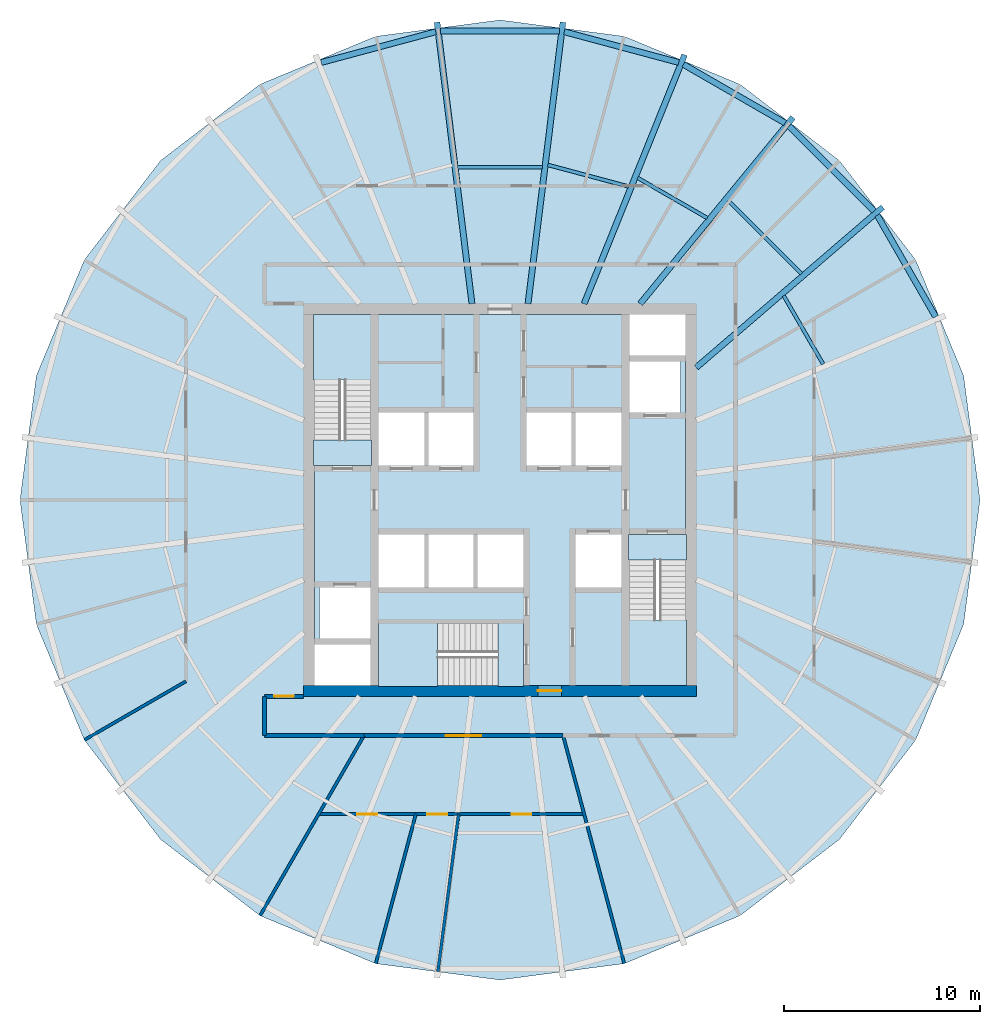
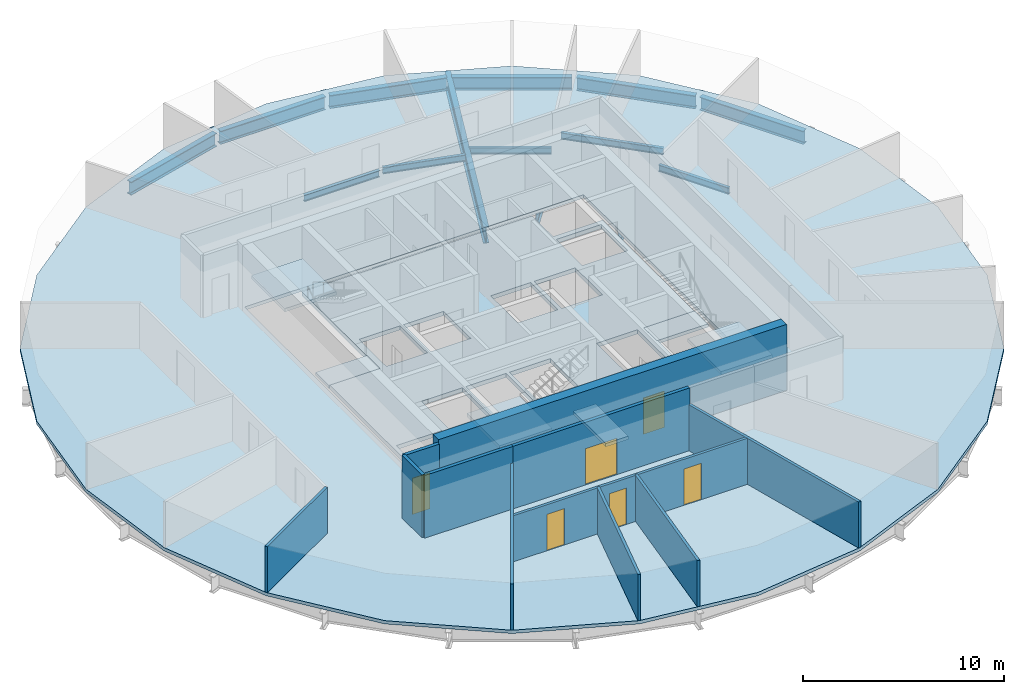
# One storey, part 2 of 6: 16 beams, 11 walls, 8 slabs, 6 doors, 6 openings, 3 elements without a shape of their own.
"""IFC4 building model written with IfcOpenShell, lengths in metres."""

from ifc_helpers import new_model, si_unit, direction, frame, frame_2d, origin, origin_2d, place, context, subcontext, project, spatial, polyline, rectangle, i_section, outline, extrude, material, layer, layer_set, material_profile, profile_set, type_object, element, fill, aggregate, save


model = new_model("IFC4")

# Units and contexts
model_context = context("Model", 3, precision=1e-05, world=origin(), true_north=direction((0.0, 1.0)))
body_context = subcontext(model_context, "Body", "Model", "MODEL_VIEW")
ifc_project = project(units=[si_unit("LENGTHUNIT", "METRE"), si_unit("AREAUNIT", "SQUARE_METRE"), si_unit("VOLUMEUNIT", "CUBIC_METRE"), si_unit("PLANEANGLEUNIT", "RADIAN"), si_unit("MASSUNIT", "GRAM", prefix="KILO")], contexts=[model_context])

# Site, building, storey
site_placement = place(None, origin())
site = spatial("IfcSite", under=ifc_project, at=site_placement, CompositionType="ELEMENT")
building_placement = place(site_placement, origin())
building = spatial("IfcBuilding", under=site, at=building_placement, Name="Golbaran Civic Tower", CompositionType="ELEMENT")
storey_placement = place(building_placement, frame((0.0, 0.0, 126.0)))
storey = spatial("IfcBuildingStorey", under=building, at=storey_placement, Name="L30", CompositionType="ELEMENT", Elevation=126.0)

# Beams
ifc_material_1 = material(Name="Steel S355", Category="steel")
ifc_material_profile_1 = material_profile(ifc_material_1, i_section(OverallWidth=0.300048828125, OverallDepth=0.800048828125, WebThickness=0.017578125, FlangeThickness=0.032958984375, FilletRadius=0.030029296875, at=origin_2d()), Name="HEB 800")
ifc_profile_set_1 = profile_set([ifc_material_profile_1], Name="Steel S355")
beam_type_1 = type_object("IfcBeamType", Name="EDGE BEAM HEB 800", PredefinedType="BEAM", material=ifc_profile_set_1)
beam_1_placement = place(storey_placement, frame((22.19580078125, 9.3310546875, -0.60009765625), z_axis=(-0.498810814407, 0.866710892646, 0.0), x_axis=(-0.866710892646, -0.498810814407, 0.0)))
element("IfcBeam", 1, at=beam_1_placement, inside=storey, type_object=beam_type_1, Name="Edge beam 22.51 L30", PredefinedType="BEAM", context=body_context, shape_type="SweptSolid", body=[
    extrude(i_section(OverallWidth=0.300048828125, OverallDepth=0.800048828125, WebThickness=0.017578125, FlangeThickness=0.032958984375, FilletRadius=0.030029296875, at=origin_2d()), origin(), (0.0, 0.0, 1.0), 5.9677734375),
])
beam_2_placement = place(storey_placement, frame((19.060791015625, 14.71044921875, -0.60009765625), z_axis=(-0.706748116898, 0.707465263643, 0.0), x_axis=(-0.707465263643, -0.706748116898, 0.0)))
element("IfcBeam", 2, at=beam_2_placement, inside=storey, type_object=beam_type_1, Name="Edge beam 37.49 L30", PredefinedType="BEAM", context=body_context, shape_type="SweptSolid", body=[
    extrude(i_section(OverallWidth=0.300048828125, OverallDepth=0.800048828125, WebThickness=0.017578125, FlangeThickness=0.032958984375, FilletRadius=0.030029296875, at=origin_2d()), origin(), (0.0, 0.0, 1.0), 6.127685546875),
])
beam_3_placement = place(storey_placement, frame((14.5234375, 19.203857421875, -0.60009765625), z_axis=(-0.866278063162, 0.49956212555, 0.0), x_axis=(-0.49956212555, -0.866278063162, 0.0)))
element("IfcBeam", 3, at=beam_3_placement, inside=storey, type_object=beam_type_1, Name="Edge beam 52.51 L30", PredefinedType="BEAM", context=body_context, shape_type="SweptSolid", body=[
    extrude(i_section(OverallWidth=0.300048828125, OverallDepth=0.800048828125, WebThickness=0.017578125, FlangeThickness=0.032958984375, FilletRadius=0.030029296875, at=origin_2d()), origin(), (0.0, 0.0, 1.0), 5.976318359375),
])
beam_4_placement = place(storey_placement, frame((9.10595703125, 22.2890625, -0.60009765625), z_axis=(-0.96583839284, 0.259145130991, 0.0), x_axis=(-0.259145130991, -0.96583839284, 0.0)))
element("IfcBeam", 4, at=beam_4_placement, inside=storey, type_object=beam_type_1, Name="Edge beam 67.49 L30", PredefinedType="BEAM", context=body_context, shape_type="SweptSolid", body=[
    extrude(i_section(OverallWidth=0.300048828125, OverallDepth=0.800048828125, WebThickness=0.017578125, FlangeThickness=0.032958984375, FilletRadius=0.030029296875, at=origin_2d()), origin(), (0.0, 0.0, 1.0), 6.0361328125),
])
beam_5_placement = place(storey_placement, frame((3.0185546875, 23.887451171875, -0.60009765625), z_axis=(-1.0, 0.0, 0.0), x_axis=(0.0, -1.0, 0.0)))
element("IfcBeam", 5, at=beam_5_placement, inside=storey, type_object=beam_type_1, Name="Edge beam 82.51 L30", PredefinedType="BEAM", context=body_context, shape_type="SweptSolid", body=[
    extrude(i_section(OverallWidth=0.300048828125, OverallDepth=0.800048828125, WebThickness=0.017578125, FlangeThickness=0.032958984375, FilletRadius=0.030029296875, at=origin_2d()), origin(), (0.0, 0.0, 1.0), 6.037109375),
])
beam_6_placement = place(storey_placement, frame((-3.276123046875, 23.853271484375, -0.60009765625), z_axis=(-0.96583839284, -0.259145130991, 0.0), x_axis=(0.259145130991, -0.96583839284, 0.0)))
element("IfcBeam", 6, at=beam_6_placement, inside=storey, type_object=beam_type_1, Name="Edge beam 97.49 L30", PredefinedType="BEAM", context=body_context, shape_type="SweptSolid", body=[
    extrude(i_section(OverallWidth=0.300048828125, OverallDepth=0.800048828125, WebThickness=0.017578125, FlangeThickness=0.032958984375, FilletRadius=0.030029296875, at=origin_2d()), origin(), (0.0, 0.0, 1.0), 6.0361328125),
])
ifc_material_profile_2 = material_profile(ifc_material_1, i_section(OverallWidth=0.179931640625, OverallDepth=0.39990234375, WebThickness=0.008544921875, FlangeThickness=0.013427734375, FilletRadius=0.02099609375, at=origin_2d()), Name="IPE 400")
ifc_profile_set_2 = profile_set([ifc_material_profile_2], Name="Steel S355")
beam_type_2 = type_object("IfcBeamType", Name="FLOOR INFILL BEAM IPE 400", PredefinedType="BEAM", material=ifc_profile_set_2)
beam_7_placement = place(storey_placement, frame((16.46728515625, 6.916748046875, -0.39990234375), z_axis=(-0.499996937234, 0.866027172066, 0.0), x_axis=(-0.866027172066, -0.499996937234, 0.0)))
element("IfcBeam", 7, at=beam_7_placement, inside=storey, type_object=beam_type_2, Name="Infill beam 30.00 L30", PredefinedType="BEAM", context=body_context, shape_type="SweptSolid", body=[
    extrude(i_section(OverallWidth=0.179931640625, OverallDepth=0.39990234375, WebThickness=0.008544921875, FlangeThickness=0.013427734375, FilletRadius=0.02099609375, at=origin_2d()), origin(), (0.0, 0.0, 1.0), 4.029296875),
])
beam_8_placement = place(storey_placement, frame((15.358642578125, 11.528076171875, -0.39990234375), z_axis=(-0.707106781187, 0.707106781187, 0.0), x_axis=(-0.707106781187, -0.707106781187, 0.0)))
element("IfcBeam", 8, at=beam_8_placement, inside=storey, type_object=beam_type_2, Name="Infill beam 45.00 L30", PredefinedType="BEAM", context=body_context, shape_type="SweptSolid", body=[
    extrude(i_section(OverallWidth=0.179931640625, OverallDepth=0.39990234375, WebThickness=0.008544921875, FlangeThickness=0.013427734375, FilletRadius=0.02099609375, at=origin_2d()), origin(), (0.0, 0.0, 1.0), 5.279052734375),
])
beam_9_placement = place(storey_placement, frame((10.5556640625, 14.365966796875, -0.39990234375), z_axis=(-0.866030514021, 0.499991148707, 0.0), x_axis=(-0.499991148707, -0.866030514021, 0.0)))
element("IfcBeam", 9, at=beam_9_placement, inside=storey, type_object=beam_type_2, Name="Infill beam 60.00 L30", PredefinedType="BEAM", context=body_context, shape_type="SweptSolid", body=[
    extrude(i_section(OverallWidth=0.179931640625, OverallDepth=0.39990234375, WebThickness=0.008544921875, FlangeThickness=0.013427734375, FilletRadius=0.02099609375, at=origin_2d()), origin(), (0.0, 0.0, 1.0), 4.08984375),
])
beam_10_placement = place(storey_placement, frame((6.554443359375, 15.9677734375, -0.39990234375), z_axis=(-0.965930161621, 0.25880286488, 0.0), x_axis=(-0.25880286488, -0.965930161621, 0.0)))
element("IfcBeam", 10, at=beam_10_placement, inside=storey, type_object=beam_type_2, Name="Infill beam 75.00 L30", PredefinedType="BEAM", context=body_context, shape_type="SweptSolid", body=[
    extrude(i_section(OverallWidth=0.179931640625, OverallDepth=0.39990234375, WebThickness=0.008544921875, FlangeThickness=0.013427734375, FilletRadius=0.02099609375, at=origin_2d()), origin(), (0.0, 0.0, 1.0), 4.263916015625),
])
beam_11_placement = place(storey_placement, frame((2.157958984375, 16.943603515625, -0.39990234375), z_axis=(-1.0, 0.0, 0.0), x_axis=(0.0, -1.0, 0.0)))
element("IfcBeam", 11, at=beam_11_placement, inside=storey, type_object=beam_type_2, Name="Infill beam 90.00 L30", PredefinedType="BEAM", context=body_context, shape_type="SweptSolid", body=[
    extrude(i_section(OverallWidth=0.179931640625, OverallDepth=0.39990234375, WebThickness=0.008544921875, FlangeThickness=0.013427734375, FilletRadius=0.02099609375, at=origin_2d()), origin(), (0.0, 0.0, 1.0), 4.31591796875),
])
ifc_material_profile_3 = material_profile(ifc_material_1, i_section(OverallWidth=0.300048828125, OverallDepth=1.0, WebThickness=0.01904296875, FlangeThickness=0.035888671875, FilletRadius=0.030029296875, at=origin_2d()), Name="HEB 1000")
ifc_profile_set_3 = profile_set([ifc_material_profile_3], Name="Steel S355")
beam_type_3 = type_object("IfcBeamType", Name="RADIAL FLOOR BEAM HEB 1000", PredefinedType="BEAM", material=ifc_profile_set_3)
beam_12_placement = place(storey_placement, frame((10.0, 6.75, -0.7099609375), z_axis=(0.758318917341, 0.651883747, 0.0), x_axis=(-0.651883747, 0.758318917341, 0.0)))
element("IfcBeam", 12, at=beam_12_placement, inside=storey, type_object=beam_type_3, Name="Radial beam 37.49 L30", PredefinedType="BEAM", context=body_context, shape_type="SweptSolid", body=[
    extrude(i_section(OverallWidth=0.300048828125, OverallDepth=1.0, WebThickness=0.01904296875, FlangeThickness=0.035888671875, FilletRadius=0.030029296875, at=origin_2d()), origin(), (0.0, 0.0, 1.0), 12.5263671875),
])
beam_13_placement = place(storey_placement, frame((7.142822265625, 10.0, -0.7099609375), z_axis=(0.634164502588, 0.773198152906, 0.0), x_axis=(-0.773198152906, 0.634164502588, 0.0)))
element("IfcBeam", 13, at=beam_13_placement, inside=storey, type_object=beam_type_3, Name="Radial beam 52.51 L30", PredefinedType="BEAM", context=body_context, shape_type="SweptSolid", body=[
    extrude(i_section(OverallWidth=0.300048828125, OverallDepth=1.0, WebThickness=0.01904296875, FlangeThickness=0.035888671875, FilletRadius=0.030029296875, at=origin_2d()), origin(), (0.0, 0.0, 1.0), 12.2744140625),
])
beam_14_placement = place(storey_placement, frame((4.28564453125, 10.0, -0.7099609375), z_axis=(0.374301533574, 0.927307048374, 0.0), x_axis=(-0.927307048374, 0.374301533574, 0.0)))
element("IfcBeam", 14, at=beam_14_placement, inside=storey, type_object=beam_type_3, Name="Radial beam 67.49 L30", PredefinedType="BEAM", context=body_context, shape_type="SweptSolid", body=[
    extrude(i_section(OverallWidth=0.300048828125, OverallDepth=1.0, WebThickness=0.01904296875, FlangeThickness=0.035888671875, FilletRadius=0.030029296875, at=origin_2d()), origin(), (0.0, 0.0, 1.0), 13.67138671875),
])
for number, where, z_axis, x_axis, name in (
    (15, (1.428466796875, 10.0, -0.7099609375), (0.122974071832, 0.992409883897, 0.0), (-0.992409883897, 0.122974071832, 0.0), "Radial beam 82.51 L30"),
    (16, (-1.428466796875, 10.0, -0.7099609375), (-0.122974071832, 0.992409883897, 0.0), (-0.992409883897, -0.122974071832, 0.0), "Radial beam 97.49 L30"),
):
    element("IfcBeam", number, at=place(storey_placement, frame(where, z_axis=z_axis, x_axis=x_axis)), inside=storey, type_object=beam_type_3, Name=name, PredefinedType="BEAM", context=body_context, shape_type="SweptSolid", body=[
        extrude(i_section(OverallWidth=0.300048828125, OverallDepth=1.0, WebThickness=0.01904296875, FlangeThickness=0.035888671875, FilletRadius=0.030029296875, at=origin_2d()), origin(), (0.0, 0.0, 1.0), 14.448974609375),
    ])

# Slabs
ifc_material_2 = material(Name="Concrete LC30/33 lightweight on steel deck", Category="concrete")
ifc_layer_1 = layer(ifc_material_2, 0.199951171875, Name="Concrete LC30/33 lightweight on steel deck")
ifc_layer_set_1 = layer_set([ifc_layer_1], Name="Concrete LC30/33 lightweight on steel deck")
slab_type_1 = type_object("IfcSlabType", Name="COMPOSITE FLOOR SLAB 200", PredefinedType="FLOOR", material=ifc_layer_set_1)
slab_1_placement = place(storey_placement, frame((0.0, 0.0, -0.199951171875)))
element("IfcSlab", 17, at=slab_1_placement, inside=storey, type_object=slab_type_1, Name="Floor slab L30", PredefinedType="FLOOR", context=body_context, shape_type="SweptSolid", body=[
    extrude(outline(polyline([(21.17724609375, -12.2265625), (17.291015625, -17.291015625), (12.2265625, -21.17724609375), (6.3291015625, -23.6201171875), (0.0, -24.453369140625), (-6.3291015625, -23.6201171875), (-12.2265625, -21.17724609375), (-17.291015625, -17.291015625), (-21.17724609375, -12.2265625), (-23.6201171875, -6.3291015625), (-24.453369140625, 0.0), (-23.6201171875, 6.3291015625), (-21.17724609375, 12.2265625), (-17.291015625, 17.291015625), (-12.2265625, 21.17724609375), (-6.3291015625, 23.6201171875), (0.0, 24.453369140625), (6.3291015625, 23.6201171875), (12.2265625, 21.17724609375), (17.291015625, 17.291015625), (21.17724609375, 12.2265625), (23.6201171875, 6.3291015625), (24.453369140625, 0.0), (23.6201171875, -6.3291015625), (21.17724609375, -12.2265625)]), holes=[polyline([(-9.72509765625, 9.72509765625), (-9.72509765625, -9.72509765625), (9.72509765625, -9.72509765625), (9.72509765625, 9.72509765625), (-9.72509765625, 9.72509765625)])]), origin(), (0.0, 0.0, 1.0), 0.199951171875),
])
ifc_material_3 = material(Name="Concrete C35/45", Category="concrete")
ifc_layer_2 = layer(ifc_material_3, 0.25, Name="Concrete C35/45")
ifc_layer_set_2 = layer_set([ifc_layer_2], Name="Concrete C35/45")
slab_type_2 = type_object("IfcSlabType", Name="CORE FLOOR SLAB 250", PredefinedType="FLOOR", material=ifc_layer_set_2)
slab_2_placement = place(storey_placement, frame((0.0, 0.0, -0.25)))
element("IfcSlab", 18, at=slab_2_placement, inside=storey, type_object=slab_type_2, Name="Core floor slab L30", PredefinedType="FLOOR", context=body_context, shape_type="SweptSolid", body=[
    extrude(outline(polyline([(6.60009765625, -1.75), (6.60009765625, -9.449951171875), (1.199951171875, -9.449951171875), (1.199951171875, -6.300048828125), (-6.199951171875, -6.300048828125), (-6.199951171875, -9.449951171875), (-6.60009765625, -9.449951171875), (-6.60009765625, -7.35009765625), (-9.449951171875, -7.35009765625), (-9.449951171875, 1.75), (-6.60009765625, 1.75), (-6.60009765625, 9.449951171875), (6.60009765625, 9.449951171875), (6.60009765625, 7.35009765625), (9.449951171875, 7.35009765625), (9.449951171875, -1.75), (6.60009765625, -1.75)]), holes=[polyline([(9.199951171875, 7.050048828125), (6.60009765625, 7.050048828125), (6.60009765625, 4.449951171875), (9.199951171875, 4.449951171875), (9.199951171875, 7.050048828125)]), polyline([(6.199951171875, -1.75), (3.85009765625, -1.75), (3.85009765625, -4.449951171875), (6.199951171875, -4.449951171875), (6.199951171875, -1.75)]), polyline([(6.199951171875, 4.449951171875), (3.85009765625, 4.449951171875), (3.85009765625, 1.75), (6.199951171875, 1.75), (6.199951171875, 4.449951171875)]), polyline([(3.64990234375, 4.449951171875), (1.35009765625, 4.449951171875), (1.35009765625, 1.75), (3.64990234375, 1.75), (3.64990234375, 4.449951171875)]), polyline([(1.199951171875, -1.75), (-1.14990234375, -1.75), (-1.14990234375, -4.449951171875), (1.199951171875, -4.449951171875), (1.199951171875, -1.75)]), polyline([(-1.35009765625, 4.449951171875), (-3.64990234375, 4.449951171875), (-3.64990234375, 1.75), (-1.35009765625, 1.75), (-1.35009765625, 4.449951171875)]), polyline([(-1.35009765625, -1.75), (-3.64990234375, -1.75), (-3.64990234375, -4.449951171875), (-1.35009765625, -4.449951171875), (-1.35009765625, -1.75)]), polyline([(-3.85009765625, -1.75), (-6.199951171875, -1.75), (-6.199951171875, -4.449951171875), (-3.85009765625, -4.449951171875), (-3.85009765625, -1.75)]), polyline([(-3.85009765625, 4.449951171875), (-6.199951171875, 4.449951171875), (-6.199951171875, 1.75), (-3.85009765625, 1.75), (-3.85009765625, 4.449951171875)]), polyline([(-6.60009765625, -4.449951171875), (-9.199951171875, -4.449951171875), (-9.199951171875, -7.050048828125), (-6.60009765625, -7.050048828125), (-6.60009765625, -4.449951171875)])]), origin(), (0.0, 0.0, 1.0), 0.25),
])

# Stair, slab
stair_type_1 = type_object("IfcStairType", Name="EXIT STAIR 2850 x 7700, 4000 RISE", PredefinedType="HALF_TURN_STAIR", material=ifc_material_3)
stair_1_placement = place(storey_placement, origin())
stair_1 = element("IfcStair", 19, at=stair_1_placement, inside=storey, type_object=stair_type_1, Name="Stair S1 L30", PredefinedType="HALF_TURN_STAIR")
ifc_layer_3 = layer(ifc_material_3, 0.199951171875, Name="Concrete C35/45")
ifc_layer_set_3 = layer_set([ifc_layer_3], Name="Concrete C35/45")
slab_type_3 = type_object("IfcSlabType", Name="STAIR LANDING 200", PredefinedType="LANDING", material=ifc_layer_set_3)
slab_3_placement = place(storey_placement, frame((0.0, 0.0, 1.800048828125)))
slab_3 = element("IfcSlab", 20, at=slab_3_placement, type_object=slab_type_3, Name="ST28577-40 landing 1", PredefinedType="LANDING", context=body_context, shape_type="SweptSolid", body=[
    extrude(outline(polyline([(-9.5, 6.125), (-9.5, 9.449951171875), (-6.550048828125, 9.449951171875), (-6.550048828125, 6.125), (-9.5, 6.125)])), origin(), (0.0, 0.0, 1.0), 0.199951171875),
])
aggregate(stair_1, [slab_3])

# Slab
slab_4_placement = place(storey_placement, frame((0.0, 0.0, -0.199951171875)))
element("IfcSlab", 21, at=slab_4_placement, inside=storey, type_object=slab_type_3, Name="Stair S1 floor landing L30", PredefinedType="LANDING", context=body_context, shape_type="SweptSolid", body=[
    extrude(outline(polyline([(-9.5, 1.75), (-9.5, 3.054931640625), (-6.550048828125, 3.054931640625), (-6.550048828125, 1.75), (-9.5, 1.75)])), origin(), (0.0, 0.0, 1.0), 0.199951171875),
])

# Stair, slab
stair_2_placement = place(storey_placement, origin())
stair_2 = element("IfcStair", 22, at=stair_2_placement, inside=storey, type_object=stair_type_1, Name="Stair S2 L30", PredefinedType="HALF_TURN_STAIR")
slab_5_placement = place(storey_placement, frame((0.0, 0.0, 1.800048828125)))
slab_5 = element("IfcSlab", 23, at=slab_5_placement, type_object=slab_type_3, Name="ST28577-40 landing 1", PredefinedType="LANDING", context=body_context, shape_type="SweptSolid", body=[
    extrude(outline(polyline([(9.5, -6.125), (9.5, -9.449951171875), (6.550048828125, -9.449951171875), (6.550048828125, -6.125), (9.5, -6.125)])), origin(), (0.0, 0.0, 1.0), 0.199951171875),
])
aggregate(stair_2, [slab_5])

# Slab
slab_6_placement = place(storey_placement, frame((0.0, 0.0, -0.199951171875)))
element("IfcSlab", 24, at=slab_6_placement, inside=storey, type_object=slab_type_3, Name="Stair S2 floor landing L30", PredefinedType="LANDING", context=body_context, shape_type="SweptSolid", body=[
    extrude(outline(polyline([(9.5, -1.75), (9.5, -3.054931640625), (6.550048828125, -3.054931640625), (6.550048828125, -1.75), (9.5, -1.75)])), origin(), (0.0, 0.0, 1.0), 0.199951171875),
])

# Stair, slab
stair_type_2 = type_object("IfcStairType", Name="EXIT STAIR 3150 x 7400, 4000 RISE", PredefinedType="HALF_TURN_STAIR", material=ifc_material_3)
stair_3_placement = place(storey_placement, origin())
stair_3 = element("IfcStair", 25, at=stair_3_placement, inside=storey, type_object=stair_type_2, Name="Stair S3 L30", PredefinedType="HALF_TURN_STAIR")
slab_7_placement = place(storey_placement, frame((0.0, 0.0, 1.800048828125)))
slab_7 = element("IfcSlab", 26, at=slab_7_placement, type_object=slab_type_3, Name="ST31574-40 landing 1", PredefinedType="LANDING", context=body_context, shape_type="SweptSolid", body=[
    extrude(outline(polyline([(-3.175048828125, -9.5), (-6.199951171875, -9.5), (-6.199951171875, -6.25), (-3.175048828125, -6.25), (-3.175048828125, -9.5)])), origin(), (0.0, 0.0, 1.0), 0.199951171875),
])
aggregate(stair_3, [slab_7])

# Slab
slab_8_placement = place(storey_placement, frame((0.0, 0.0, -0.199951171875)))
element("IfcSlab", 27, at=slab_8_placement, inside=storey, type_object=slab_type_3, Name="Stair S3 floor landing L30", PredefinedType="LANDING", context=body_context, shape_type="SweptSolid", body=[
    extrude(outline(polyline([(1.199951171875, -9.5), (-0.10498046875, -9.5), (-0.10498046875, -6.25), (1.199951171875, -6.25), (1.199951171875, -9.5)])), origin(), (0.0, 0.0, 1.0), 0.199951171875),
])

# Wall, opening, door
ifc_material_4 = material(Name="Concrete C50/60", Category="concrete")
ifc_layer_4 = layer(ifc_material_4, 0.550048828125, Name="Concrete C50/60")
ifc_layer_set_4 = layer_set([ifc_layer_4], Name="Concrete C50/60")
wall_type_1 = type_object("IfcWallType", Name="CORE WALL CONCRETE 550", PredefinedType="SOLIDWALL", material=ifc_layer_set_4)
wall_1_placement = place(storey_placement, frame((10.0, -9.72509765625, 0.0), z_axis=(0.0, 0.0, 1.0), x_axis=(-1.0, 0.0, 0.0)))
wall_1 = element("IfcWall", 28, at=wall_1_placement, inside=storey, type_object=wall_type_1, Name="Core wall CS L30", PredefinedType="SOLIDWALL", context=body_context, shape_type="SweptSolid", body=[
    extrude(rectangle(XDim=20.0, YDim=0.550048828125, at=frame_2d((10.0, 0.0))), origin(), (0.0, 0.0, 1.0), 4.0),
])
opening_1_placement = place(wall_1_placement, frame((6.875, 0.0, 0.0)))
opening_1 = element("IfcOpeningElement", 29, at=opening_1_placement, cuts=wall_1, Name="Opening L30.CS", PredefinedType="OPENING", context=body_context, shape_type="SweptSolid", body=[
    extrude(rectangle(XDim=1.199951171875, YDim=2.199951171875, at=frame_2d((0.60009765625, 1.10009765625))), frame((0.0, 0.284912109375, 0.0), z_axis=(0.0, -1.0, 0.0), x_axis=(1.0, 0.0, 0.0)), (0.0, 0.0, 1.0), 0.570068359375),
])
ifc_material_5 = material(Name="Timber door set in steel frame", Category="steel")
door_type_1 = type_object("IfcDoorType", Name="CORE DOOR 1200x2200", OperationType="DOUBLE_DOOR_SINGLE_SWING", PredefinedType="DOOR", material=ifc_material_5)
door_1_placement = place(opening_1_placement, origin())
door_1 = element("IfcDoor", 30, at=door_1_placement, inside=storey, type_object=door_type_1, Name="Core door south", OperationType="DOUBLE_DOOR_SINGLE_SWING", OverallHeight=2.199951171875, OverallWidth=1.199951171875, PredefinedType="DOOR", context=body_context, shape_type="SweptSolid", body=[
    extrude(rectangle(XDim=1.199951171875, YDim=2.199951171875, at=frame_2d((0.60009765625, 1.10009765625))), frame((0.0, 0.02490234375, 0.0), z_axis=(0.0, -1.0, 0.0), x_axis=(1.0, 0.0, 0.0)), (0.0, 0.0, 1.0), 0.050048828125),
])
fill(opening_1, door_1)

# Walls
ifc_material_6 = material(Name="Gypsum board on steel studs, fire-rated", Category="steel")
ifc_layer_5 = layer(ifc_material_6, 0.199951171875, Name="Gypsum board on steel studs, fire-rated")
ifc_layer_set_5 = layer_set([ifc_layer_5], Name="Gypsum board on steel studs, fire-rated")
wall_type_2 = type_object("IfcWallType", Name="CORRIDOR WALL 200", PredefinedType="PARTITIONING", material=ifc_layer_set_5)
wall_2_placement = place(storey_placement, frame((-12.0, -10.0, 0.0), z_axis=(0.0, 0.0, 1.0), x_axis=(0.0, -1.0, 0.0)))
element("IfcWall", 31, at=wall_2_placement, inside=storey, type_object=wall_type_2, Name="Corridor wall L30", PredefinedType="PARTITIONING", context=body_context, shape_type="SweptSolid", body=[
    extrude(rectangle(XDim=2.0, YDim=0.199951171875, at=frame_2d((1.0, 0.0))), origin(), (0.0, 0.0, 1.0), 3.800048828125),
])
wall_3_placement = place(storey_placement, frame((-12.0, -12.0, 0.0), z_axis=(0.0, 0.0, 1.0), x_axis=(1.0, 0.0, 0.0)))
element("IfcWall", 32, at=wall_3_placement, inside=storey, type_object=wall_type_2, Name="Corridor wall L30", PredefinedType="PARTITIONING", context=body_context, shape_type="SweptSolid", body=[
    extrude(rectangle(XDim=5.07177734375, YDim=0.199951171875, at=frame_2d((2.535888671875, 0.0))), origin(), (0.0, 0.0, 1.0), 3.800048828125),
])

# Wall, opening, door
wall_4_placement = place(storey_placement, frame((-6.92822265625, -12.0, 0.0), z_axis=(0.0, 0.0, 1.0), x_axis=(1.0, 0.0, 0.0)))
wall_4 = element("IfcWall", 33, at=wall_4_placement, inside=storey, type_object=wall_type_2, Name="Corridor wall L30", PredefinedType="PARTITIONING", context=body_context, shape_type="SweptSolid", body=[
    extrude(rectangle(XDim=10.1435546875, YDim=0.199951171875, at=frame_2d((5.07177734375, 0.0))), origin(), (0.0, 0.0, 1.0), 3.800048828125),
])
opening_2_placement = place(wall_4_placement, frame((4.171875, 0.0, 0.0)))
opening_2 = element("IfcOpeningElement", 34, at=opening_2_placement, cuts=wall_4, Name="Opening L30.21", PredefinedType="OPENING", context=body_context, shape_type="SweptSolid", body=[
    extrude(rectangle(XDim=1.800048828125, YDim=2.199951171875, at=frame_2d((0.89990234375, 1.10009765625))), frame((0.0, 0.10986328125, 0.0), z_axis=(0.0, -1.0, 0.0), x_axis=(1.0, 0.0, 0.0)), (0.0, 0.0, 1.0), 0.219970703125),
])
door_type_2 = type_object("IfcDoorType", Name="OFFICE DOUBLE DOOR 1800x2200", OperationType="DOUBLE_DOOR_SINGLE_SWING", PredefinedType="DOOR", material=ifc_material_5)
door_2_placement = place(opening_2_placement, origin())
door_2 = element("IfcDoor", 35, at=door_2_placement, inside=storey, type_object=door_type_2, Name="Secretariat door L30", OperationType="DOUBLE_DOOR_SINGLE_SWING", OverallHeight=2.199951171875, OverallWidth=1.800048828125, PredefinedType="DOOR", context=body_context, shape_type="SweptSolid", body=[
    extrude(rectangle(XDim=1.800048828125, YDim=2.199951171875, at=frame_2d((0.89990234375, 1.10009765625))), frame((0.0, 0.02490234375, 0.0), z_axis=(0.0, -1.0, 0.0), x_axis=(1.0, 0.0, 0.0)), (0.0, 0.0, 1.0), 0.050048828125),
])
fill(opening_2, door_2)

wall_5_placement = place(storey_placement, frame((-10.0, -10.0, 0.0), z_axis=(0.0, 0.0, 1.0), x_axis=(-1.0, 0.0, 0.0)))
wall_5 = element("IfcWall", 36, at=wall_5_placement, inside=storey, type_object=wall_type_2, Name="Corridor end wall L30", PredefinedType="PARTITIONING", context=body_context, shape_type="SweptSolid", body=[
    extrude(rectangle(XDim=2.0, YDim=0.199951171875, at=frame_2d((1.0, 0.0))), origin(), (0.0, 0.0, 1.0), 3.800048828125),
])
opening_3_placement = place(wall_5_placement, frame((0.5, 0.0, 0.0)))
opening_3 = element("IfcOpeningElement", 37, at=opening_3_placement, cuts=wall_5, Name="Opening L30.25", PredefinedType="OPENING", context=body_context, shape_type="SweptSolid", body=[
    extrude(rectangle(XDim=1.0, YDim=2.199951171875, at=frame_2d((0.5, 1.10009765625))), frame((0.0, 0.10986328125, 0.0), z_axis=(0.0, -1.0, 0.0), x_axis=(1.0, 0.0, 0.0)), (0.0, 0.0, 1.0), 0.219970703125),
])
door_type_3 = type_object("IfcDoorType", Name="OFFICE DOOR 1000x2200", OperationType="SINGLE_SWING_LEFT", PredefinedType="DOOR", material=ifc_material_5)
door_3_placement = place(opening_3_placement, origin())
door_3 = element("IfcDoor", 38, at=door_3_placement, inside=storey, type_object=door_type_3, Name="Open Office door L30", OperationType="SINGLE_SWING_RIGHT", OverallHeight=2.199951171875, OverallWidth=1.0, PredefinedType="DOOR", context=body_context, shape_type="SweptSolid", body=[
    extrude(rectangle(XDim=1.0, YDim=2.199951171875, at=frame_2d((0.5, 1.10009765625))), frame((0.0, 0.02490234375, 0.0), z_axis=(0.0, -1.0, 0.0), x_axis=(1.0, 0.0, 0.0)), (0.0, 0.0, 1.0), 0.050048828125),
])
fill(opening_3, door_3)

# Walls
ifc_material_7 = material(Name="Gypsum board on steel studs", Category="steel")
ifc_layer_6 = layer(ifc_material_7, 0.14990234375, Name="Gypsum board on steel studs")
ifc_layer_set_6 = layer_set([ifc_layer_6], Name="Gypsum board on steel studs")
wall_type_3 = type_object("IfcWallType", Name="OFFICE PARTITION 150", PredefinedType="PARTITIONING", material=ifc_layer_set_6)
wall_6_placement = place(storey_placement, frame((-6.92822265625, -12.0, 0.0), z_axis=(0.0, 0.0, 1.0), x_axis=(-0.500003251404, -0.866023526577, 0.0)))
element("IfcWall", 39, at=wall_6_placement, inside=storey, type_object=wall_type_3, Name="Partition 240 L30", PredefinedType="PARTITIONING", context=body_context, shape_type="SweptSolid", body=[
    extrude(rectangle(XDim=10.5869140625, YDim=0.14990234375, at=frame_2d((5.29345703125, 0.0))), origin(), (0.0, 0.0, 1.0), 2.7900390625),
])
wall_7_placement = place(storey_placement, frame((3.21533203125, -12.0, 0.0), z_axis=(0.0, 0.0, 1.0), x_axis=(0.258826780857, -0.965923753467, 0.0)))
element("IfcWall", 40, at=wall_7_placement, inside=storey, type_object=wall_type_3, Name="Partition 285 L30", PredefinedType="PARTITIONING", context=body_context, shape_type="SweptSolid", body=[
    extrude(rectangle(XDim=12.02001953125, YDim=0.14990234375, at=frame_2d((6.010009765625, 0.0))), origin(), (0.0, 0.0, 1.0), 2.7900390625),
])
wall_8_placement = place(storey_placement, frame((-16.0, -9.237548828125, 0.0), z_axis=(0.0, 0.0, 1.0), x_axis=(-0.866016638956, -0.50001518082, 0.0)))
element("IfcWall", 41, at=wall_8_placement, inside=storey, type_object=wall_type_3, Name="Suite side partition L30", PredefinedType="PARTITIONING", context=body_context, shape_type="SweptSolid", body=[
    extrude(rectangle(XDim=5.968017578125, YDim=0.14990234375, at=frame_2d((2.98388671875, 0.0))), origin(), (0.0, 0.0, 1.0), 2.7900390625),
])

# Wall, openings, doors
wall_9_placement = place(storey_placement, frame((-9.237548828125, -16.0, 0.0), z_axis=(0.0, 0.0, 1.0), x_axis=(1.0, 0.0, 0.0)))
wall_9 = element("IfcWall", 42, at=wall_9_placement, inside=storey, type_object=wall_type_3, Name="Suite partition L30", PredefinedType="PARTITIONING", context=body_context, shape_type="SweptSolid", body=[
    extrude(rectangle(XDim=13.524658203125, YDim=0.14990234375, at=frame_2d((6.76220703125, 0.0))), origin(), (0.0, 0.0, 1.0), 2.7900390625),
])
opening_4_placement = place(wall_9_placement, frame((1.97509765625, 0.0, 0.0)))
opening_4 = element("IfcOpeningElement", 43, at=opening_4_placement, cuts=wall_9, Name="Opening L30.13", PredefinedType="OPENING", context=body_context, shape_type="SweptSolid", body=[
    extrude(rectangle(XDim=1.0, YDim=2.199951171875, at=frame_2d((0.5, 1.10009765625))), frame((0.0, 0.0849609375, 0.0), z_axis=(0.0, -1.0, 0.0), x_axis=(1.0, 0.0, 0.0)), (0.0, 0.0, 1.0), 0.169921875),
])
opening_5_placement = place(wall_9_placement, frame((5.540771484375, 0.0, 0.0)))
opening_5 = element("IfcOpeningElement", 44, at=opening_5_placement, cuts=wall_9, Name="Opening L30.14", PredefinedType="OPENING", context=body_context, shape_type="SweptSolid", body=[
    extrude(rectangle(XDim=1.0, YDim=2.199951171875, at=frame_2d((0.5, 1.10009765625))), frame((0.0, 0.0849609375, 0.0), z_axis=(0.0, -1.0, 0.0), x_axis=(1.0, 0.0, 0.0)), (0.0, 0.0, 1.0), 0.169921875),
])
opening_6_placement = place(wall_9_placement, frame((9.827880859375, 0.0, 0.0)))
opening_6 = element("IfcOpeningElement", 45, at=opening_6_placement, cuts=wall_9, Name="Opening L30.15", PredefinedType="OPENING", context=body_context, shape_type="SweptSolid", body=[
    extrude(rectangle(XDim=1.0, YDim=2.199951171875, at=frame_2d((0.5, 1.10009765625))), frame((0.0, 0.0849609375, 0.0), z_axis=(0.0, -1.0, 0.0), x_axis=(1.0, 0.0, 0.0)), (0.0, 0.0, 1.0), 0.169921875),
])
door_4_placement = place(opening_4_placement, origin())
door_4 = element("IfcDoor", 46, at=door_4_placement, inside=storey, type_object=door_type_3, Name="Office door L30", OperationType="SINGLE_SWING_LEFT", OverallHeight=2.199951171875, OverallWidth=1.0, PredefinedType="DOOR", context=body_context, shape_type="SweptSolid", body=[
    extrude(rectangle(XDim=1.0, YDim=2.199951171875, at=frame_2d((0.5, 1.10009765625))), frame((0.0, 0.02490234375, 0.0), z_axis=(0.0, -1.0, 0.0), x_axis=(1.0, 0.0, 0.0)), (0.0, 0.0, 1.0), 0.050048828125),
])
fill(opening_4, door_4)
door_5_placement = place(opening_5_placement, origin())
door_5 = element("IfcDoor", 47, at=door_5_placement, inside=storey, type_object=door_type_3, Name="Office door L30", OperationType="SINGLE_SWING_LEFT", OverallHeight=2.199951171875, OverallWidth=1.0, PredefinedType="DOOR", context=body_context, shape_type="SweptSolid", body=[
    extrude(rectangle(XDim=1.0, YDim=2.199951171875, at=frame_2d((0.5, 1.10009765625))), frame((0.0, 0.02490234375, 0.0), z_axis=(0.0, -1.0, 0.0), x_axis=(1.0, 0.0, 0.0)), (0.0, 0.0, 1.0), 0.050048828125),
])
fill(opening_5, door_5)
door_6_placement = place(opening_6_placement, origin())
door_6 = element("IfcDoor", 48, at=door_6_placement, inside=storey, type_object=door_type_3, Name="Director's Office door L30", OperationType="SINGLE_SWING_RIGHT", OverallHeight=2.199951171875, OverallWidth=1.0, PredefinedType="DOOR", context=body_context, shape_type="SweptSolid", body=[
    extrude(rectangle(XDim=1.0, YDim=2.199951171875, at=frame_2d((0.5, 1.10009765625))), frame((0.0, 0.02490234375, 0.0), z_axis=(0.0, -1.0, 0.0), x_axis=(1.0, 0.0, 0.0)), (0.0, 0.0, 1.0), 0.050048828125),
])
fill(opening_6, door_6)

# Walls
wall_10_placement = place(storey_placement, frame((-4.287109375, -16.0, 0.0), z_axis=(0.0, 0.0, 1.0), x_axis=(-0.258833147156, -0.965922047545, 0.0)))
element("IfcWall", 49, at=wall_10_placement, inside=storey, type_object=wall_type_3, Name="Partition 255 L30", PredefinedType="PARTITIONING", context=body_context, shape_type="SweptSolid", body=[
    extrude(rectangle(XDim=7.87890625, YDim=0.14990234375, at=frame_2d((3.939453125, 0.0))), origin(), (0.0, 0.0, 1.0), 2.7900390625),
])
wall_11_placement = place(storey_placement, frame((-2.1064453125, -16.0, 0.0), z_axis=(0.0, 0.0, 1.0), x_axis=(-0.130512236494, -0.99144669858, 0.0)))
element("IfcWall", 50, at=wall_11_placement, inside=storey, type_object=wall_type_3, Name="Partition 262.5 L30", PredefinedType="PARTITIONING", context=body_context, shape_type="SweptSolid", body=[
    extrude(rectangle(XDim=8.09619140625, YDim=0.14990234375, at=frame_2d((4.048095703125, 0.0))), origin(), (0.0, 0.0, 1.0), 2.7900390625),
])

save(model, "model.ifc")
